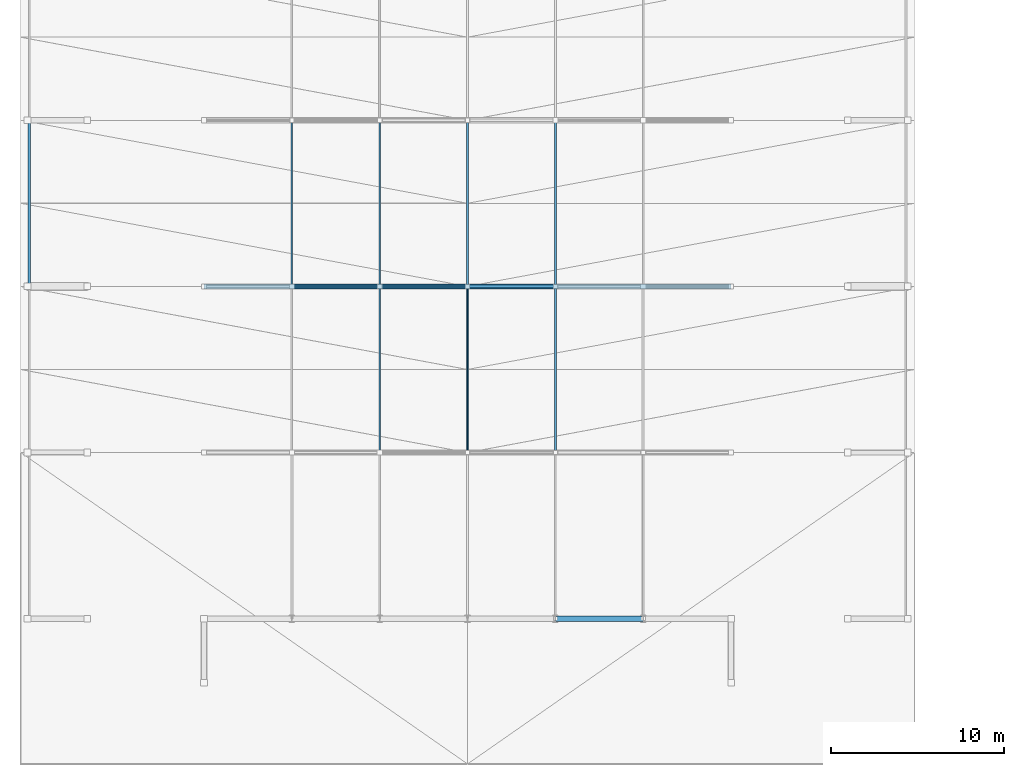
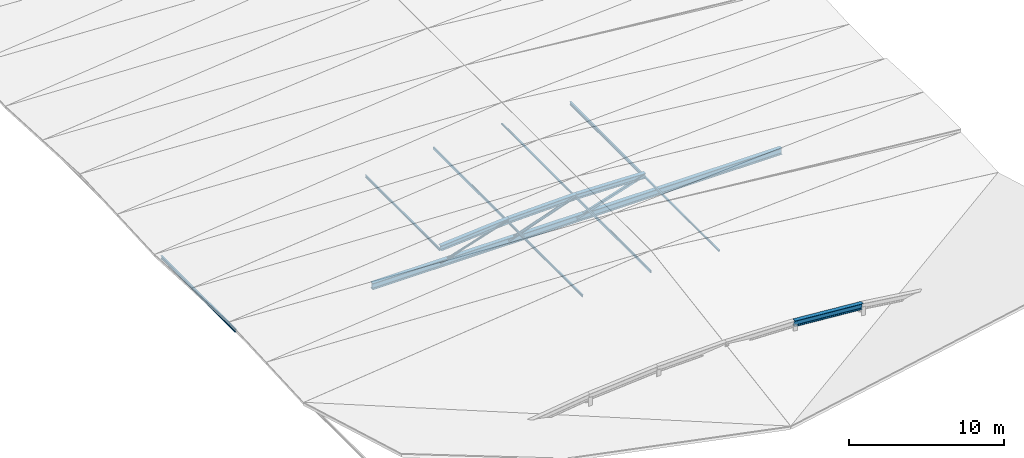
# One storey, part 5 of 16: 16 members.
"""IFC4 building model written with IfcOpenShell, lengths in metres."""

from ifc_helpers import new_model, si_unit, direction, frame, origin, origin_2d, place, context, subcontext, project, spatial, hollow_rectangle, hollow_circle, i_section, extrude, material, material_profile, profile_set, type_object, element, save


model = new_model("IFC4")

# Units and contexts
model_context = context("Model", 3, precision=1e-05, world=origin(), true_north=direction((0.0, 1.0)))
body_context = subcontext(model_context, "Body", "Model", "MODEL_VIEW")
ifc_project = project(units=[si_unit("LENGTHUNIT", "METRE"), si_unit("AREAUNIT", "SQUARE_METRE"), si_unit("VOLUMEUNIT", "CUBIC_METRE"), si_unit("PLANEANGLEUNIT", "RADIAN"), si_unit("MASSUNIT", "GRAM", prefix="KILO")], contexts=[model_context])

# Site, building, storey
site_placement = place(None, origin())
site = spatial("IfcSite", under=ifc_project, at=site_placement, CompositionType="ELEMENT")
building_placement = place(site_placement, origin())
building = spatial("IfcBuilding", under=site, at=building_placement, Name="Myrtia Square Station", CompositionType="ELEMENT")
storey_placement = place(building_placement, frame((0.0, 0.0, 22.800048828125)))
storey = spatial("IfcBuildingStorey", under=building, at=storey_placement, Name="RF", CompositionType="ELEMENT", Elevation=22.800048828125)

# Members
ifc_material = material(Name="Steel S355", Category="steel")
ifc_material_profile_1 = material_profile(ifc_material, hollow_circle(Radius=0.084228515625, WallThickness=0.010009765625, at=origin_2d()), Name="CHS 168.3x10")
ifc_profile_set_1 = profile_set([ifc_material_profile_1], Name="Steel S355")
member_type_1 = type_object("IfcMemberType", Name="BRC-CHS168", PredefinedType="BRACE", material=ifc_profile_set_1)
member_1_placement = place(storey_placement, frame((84.425048828125, 48.0, -1.449951171875), z_axis=(0.952807116533, 0.0, 0.303576347371), x_axis=(0.0, 1.0, 0.0)))
element("IfcMember", 1, at=member_1_placement, inside=storey, type_object=member_type_1, Name="Bowstring arch truss 03 web diagonal 2", PredefinedType="BRACE", context=body_context, shape_type="SweptSolid", body=[
    extrude(hollow_circle(Radius=0.084228515625, WallThickness=0.010009765625, at=origin_2d()), origin(), (0.0, 0.0, 1.0), 5.326416015625),
])
ifc_material_profile_2 = material_profile(ifc_material, hollow_circle(Radius=0.109619140625, WallThickness=0.012451171875, at=origin_2d()), Name="CHS 219.1x12.5")
ifc_profile_set_2 = profile_set([ifc_material_profile_2], Name="Steel S355")
member_type_2 = type_object("IfcMemberType", Name="BRC-CHS219", PredefinedType="BRACE", material=ifc_profile_set_2)
member_2_placement = place(storey_placement, frame((89.5, 48.0, -1.449951171875), z_axis=(0.945372015012, 0.0, 0.325993486487), x_axis=(0.0, 1.0, 0.0)))
element("IfcMember", 2, at=member_2_placement, inside=storey, type_object=member_type_2, Name="Bowstring arch truss 03 web diagonal 3", PredefinedType="BRACE", context=body_context, shape_type="SweptSolid", body=[
    extrude(hollow_circle(Radius=0.109619140625, WallThickness=0.012451171875, at=origin_2d()), origin(), (0.0, 0.0, 1.0), 5.3681640625),
])
ifc_material_profile_3 = material_profile(ifc_material, hollow_rectangle(XDim=0.179931640625, YDim=0.179931640625, WallThickness=0.012451171875, InnerFilletRadius=0.012451171875, OuterFilletRadius=0.02490234375, at=origin_2d()), Name="SHS 180x180x12.5")
ifc_profile_set_3 = profile_set([ifc_material_profile_3], Name="Steel S355")
member_type_3 = type_object("IfcMemberType", Name="BRC-SHS180", PredefinedType="BRACE", material=ifc_profile_set_3)
member_3_placement = place(storey_placement, frame((94.574951171875, 48.0, -1.449951171875), z_axis=(0.952807116533, 0.0, 0.303576347371), x_axis=(0.0, 1.0, 0.0)))
element("IfcMember", 3, at=member_3_placement, inside=storey, type_object=member_type_3, Name="Bowstring arch truss 03 web diagonal 4", PredefinedType="BRACE", context=body_context, shape_type="SweptSolid", body=[
    extrude(hollow_rectangle(XDim=0.179931640625, YDim=0.179931640625, WallThickness=0.012451171875, InnerFilletRadius=0.012451171875, OuterFilletRadius=0.02490234375, at=origin_2d()), origin(), (0.0, 0.0, 1.0), 5.326416015625),
])
ifc_material_profile_4 = material_profile(ifc_material, i_section(OverallWidth=0.300048828125, OverallDepth=0.39990234375, WebThickness=0.013427734375, FlangeThickness=0.02392578125, FilletRadius=0.027099609375, at=origin_2d()), Name="HEB 400")
ifc_profile_set_4 = profile_set([ifc_material_profile_4], Name="Steel S355")
member_type_4 = type_object("IfcMemberType", Name="CHD-HEB400", PredefinedType="CHORD", material=ifc_profile_set_4)
member_4_placement = place(storey_placement, frame((84.425048828125, 48.0, -0.233154296875), z_axis=(0.996905966221, 0.0, 0.078603400136), x_axis=(0.0, 1.0, 0.0)))
element("IfcMember", 4, at=member_4_placement, inside=storey, type_object=member_type_4, Name="Bowstring arch truss 03 arch chord 2", PredefinedType="CHORD", context=body_context, shape_type="SweptSolid", body=[
    extrude(i_section(OverallWidth=0.300048828125, OverallDepth=0.39990234375, WebThickness=0.013427734375, FlangeThickness=0.02392578125, FilletRadius=0.027099609375, at=origin_2d()), origin(), (0.0, 0.0, 1.0), 5.0908203125),
])
for number, where, z_axis, x_axis, name in (
    (5, (89.5, 48.0, 0.1669921875), (0.999656477216, 0.0, 0.026209302934), (0.0, 1.0, 0.0), "Bowstring arch truss 03 arch chord 3"),
    (6, (94.574951171875, 48.0, 0.300048828125), (0.999656477216, 0.0, -0.026209302934), (0.0, 1.0, 0.0), "Bowstring arch truss 03 arch chord 4"),
):
    element("IfcMember", number, at=place(storey_placement, frame(where, z_axis=z_axis, x_axis=x_axis)), inside=storey, type_object=member_type_4, Name=name, PredefinedType="CHORD", context=body_context, shape_type="SweptSolid", body=[
        extrude(i_section(OverallWidth=0.300048828125, OverallDepth=0.39990234375, WebThickness=0.013427734375, FlangeThickness=0.02392578125, FilletRadius=0.027099609375, at=origin_2d()), origin(), (0.0, 0.0, 1.0), 5.07666015625),
    ])
ifc_material_profile_5 = material_profile(ifc_material, i_section(OverallWidth=0.300048828125, OverallDepth=0.449951171875, WebThickness=0.013916015625, FlangeThickness=0.02587890625, FilletRadius=0.027099609375, at=origin_2d()), Name="HEB 450")
ifc_profile_set_5 = profile_set([ifc_material_profile_5], Name="Steel S355")
member_type_5 = type_object("IfcMemberType", Name="CHD-HEB450", PredefinedType="CHORD", material=ifc_profile_set_5)
member_5_placement = place(storey_placement, frame((99.64990234375, 28.800048828125, 0.1669921875), z_axis=(0.996906262509, 0.0, -0.078599642306), x_axis=(0.0, 1.0, 0.0)))
element("IfcMember", 7, at=member_5_placement, inside=storey, type_object=member_type_5, Name="Bowstring arch truss 01 arch chord 5", PredefinedType="CHORD", context=body_context, shape_type="SweptSolid", body=[
    extrude(i_section(OverallWidth=0.300048828125, OverallDepth=0.449951171875, WebThickness=0.013916015625, FlangeThickness=0.02587890625, FilletRadius=0.027099609375, at=origin_2d()), origin(), (0.0, 0.0, 1.0), 5.091064453125),
])
ifc_material_profile_6 = material_profile(ifc_material, i_section(OverallWidth=0.300048828125, OverallDepth=0.5, WebThickness=0.014404296875, FlangeThickness=0.028076171875, FilletRadius=0.027099609375, at=origin_2d()), Name="HEB 500")
ifc_profile_set_6 = profile_set([ifc_material_profile_6], Name="Steel S355")
member_type_6 = type_object("IfcMemberType", Name="CHD-HEB500", PredefinedType="CHORD", material=ifc_profile_set_6)
member_6_placement = place(storey_placement, frame((79.35009765625, 48.0, -1.449951171875), z_axis=(1.0, 0.0, 0.0), x_axis=(0.0, 1.0, 0.0)))
element("IfcMember", 8, at=member_6_placement, inside=storey, type_object=member_type_6, Name="Bowstring arch truss 03 tie chord", PredefinedType="CHORD", context=body_context, shape_type="SweptSolid", body=[
    extrude(i_section(OverallWidth=0.300048828125, OverallDepth=0.5, WebThickness=0.014404296875, FlangeThickness=0.028076171875, FilletRadius=0.027099609375, at=origin_2d()), origin(), (0.0, 0.0, 1.0), 30.449951171875),
])
ifc_material_profile_7 = material_profile(ifc_material, i_section(OverallWidth=0.091064453125, OverallDepth=0.179931640625, WebThickness=0.00537109375, FlangeThickness=0.008056640625, FilletRadius=0.009033203125, at=origin_2d()), Name="IPE 180")
ifc_profile_set_7 = profile_set([ifc_material_profile_7], Name="Steel S355")
member_type_7 = type_object("IfcMemberType", Name="PUR-IPE180", PredefinedType="PURLIN", material=ifc_profile_set_7)
for number, where, z_axis, x_axis, name in (
    (9, (89.5, 38.39990234375, 0.006591796875), (0.0, 1.0, 0.0), (-1.0, 0.0, 0.0), "Folded roof purlin PUR-RF-0010"),
    (10, (84.425048828125, 48.0, -0.393310546875), (0.0, 1.0, 0.0), (-1.0, 0.0, 0.0), "Folded roof purlin PUR-RF-0018"),
):
    element("IfcMember", number, at=place(storey_placement, frame(where, z_axis=z_axis, x_axis=x_axis)), inside=storey, type_object=member_type_7, Name=name, PredefinedType="PURLIN", context=body_context, shape_type="SweptSolid", body=[
        extrude(i_section(OverallWidth=0.091064453125, OverallDepth=0.179931640625, WebThickness=0.00537109375, FlangeThickness=0.008056640625, FilletRadius=0.009033203125, at=origin_2d()), origin(), (0.0, 0.0, 1.0), 9.60009765625),
    ])
ifc_material_profile_8 = material_profile(ifc_material, i_section(OverallWidth=0.1201171875, OverallDepth=0.239990234375, WebThickness=0.006103515625, FlangeThickness=0.009765625, FilletRadius=0.014892578125, at=origin_2d()), Name="IPE 240")
ifc_profile_set_8 = profile_set([ifc_material_profile_8], Name="Steel S355")
member_type_8 = type_object("IfcMemberType", Name="PUR-IPE240", PredefinedType="PURLIN", material=ifc_profile_set_8)
for number, where, z_axis, x_axis, name in (
    (11, (99.64990234375, 48.0, 0.006591796875), (0.0, 1.0, 0.0), (-1.0, 0.0, 0.0), "Folded roof purlin PUR-RF-0021"),
    (12, (69.25, 48.0, -1.4599609375), (0.0, 1.0, 0.0), (-1.0, 0.0, 0.0), "Overhang eave purlin PUR-RF-0023"),
):
    element("IfcMember", number, at=place(storey_placement, frame(where, z_axis=z_axis, x_axis=x_axis)), inside=storey, type_object=member_type_8, Name=name, PredefinedType="PURLIN", context=body_context, shape_type="SweptSolid", body=[
        extrude(i_section(OverallWidth=0.1201171875, OverallDepth=0.239990234375, WebThickness=0.006103515625, FlangeThickness=0.009765625, FilletRadius=0.014892578125, at=origin_2d()), origin(), (0.0, 0.0, 1.0), 9.60009765625),
    ])
ifc_material_profile_9 = material_profile(ifc_material, hollow_rectangle(XDim=0.10009765625, YDim=0.199951171875, WallThickness=0.008056640625, InnerFilletRadius=0.008056640625, OuterFilletRadius=0.01611328125, at=origin_2d()), Name="RHS 200x100x8")
ifc_profile_set_9 = profile_set([ifc_material_profile_9], Name="Steel S355")
member_type_9 = type_object("IfcMemberType", Name="PUR-RHS200", PredefinedType="PURLIN", material=ifc_profile_set_9)
for number, where, z_axis, x_axis, name in (
    (13, (94.574951171875, 38.39990234375, 0.139892578125), (0.0, 1.0, 0.0), (-1.0, 0.0, 0.0), "Folded roof purlin PUR-RF-0011"),
    (14, (89.5, 48.0, 0.006591796875), (0.0, 1.0, 0.0), (-1.0, 0.0, 0.0), "Folded roof purlin PUR-RF-0019"),
):
    element("IfcMember", number, at=place(storey_placement, frame(where, z_axis=z_axis, x_axis=x_axis)), inside=storey, type_object=member_type_9, Name=name, PredefinedType="PURLIN", context=body_context, shape_type="SweptSolid", body=[
        extrude(hollow_rectangle(XDim=0.10009765625, YDim=0.199951171875, WallThickness=0.008056640625, InnerFilletRadius=0.008056640625, OuterFilletRadius=0.01611328125, at=origin_2d()), origin(), (0.0, 0.0, 1.0), 9.60009765625),
    ])
ifc_material_profile_10 = material_profile(ifc_material, hollow_rectangle(XDim=0.1201171875, YDim=0.1201171875, WallThickness=0.008056640625, InnerFilletRadius=0.008056640625, OuterFilletRadius=0.01611328125, at=origin_2d()), Name="SHS 120x120x8")
ifc_profile_set_10 = profile_set([ifc_material_profile_10], Name="Steel S355")
member_type_10 = type_object("IfcMemberType", Name="PUR-SHS120", PredefinedType="PURLIN", material=ifc_profile_set_10)
for number, where, z_axis, x_axis, name in (
    (15, (99.64990234375, 38.39990234375, 0.006591796875), (0.0, 1.0, 0.0), (-1.0, 0.0, 0.0), "Folded roof purlin PUR-RF-0012"),
    (16, (94.574951171875, 48.0, 0.139892578125), (0.0, 1.0, 0.0), (-1.0, 0.0, 0.0), "Folded roof purlin PUR-RF-0020"),
):
    element("IfcMember", number, at=place(storey_placement, frame(where, z_axis=z_axis, x_axis=x_axis)), inside=storey, type_object=member_type_10, Name=name, PredefinedType="PURLIN", context=body_context, shape_type="SweptSolid", body=[
        extrude(hollow_rectangle(XDim=0.1201171875, YDim=0.1201171875, WallThickness=0.008056640625, InnerFilletRadius=0.008056640625, OuterFilletRadius=0.01611328125, at=origin_2d()), origin(), (0.0, 0.0, 1.0), 9.60009765625),
    ])

save(model, "model.ifc")
